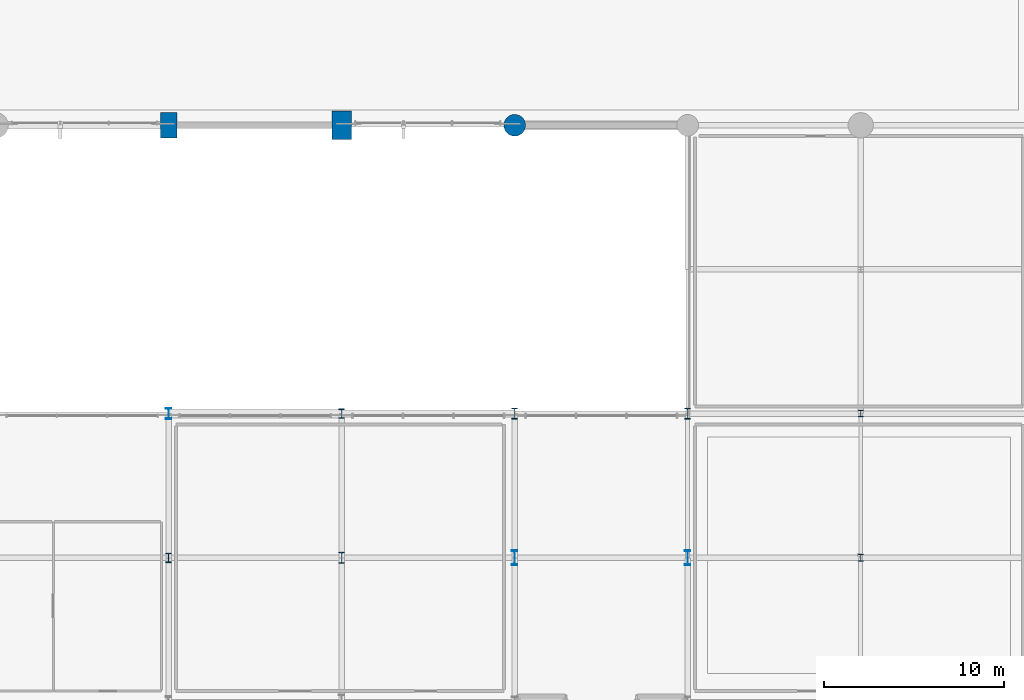
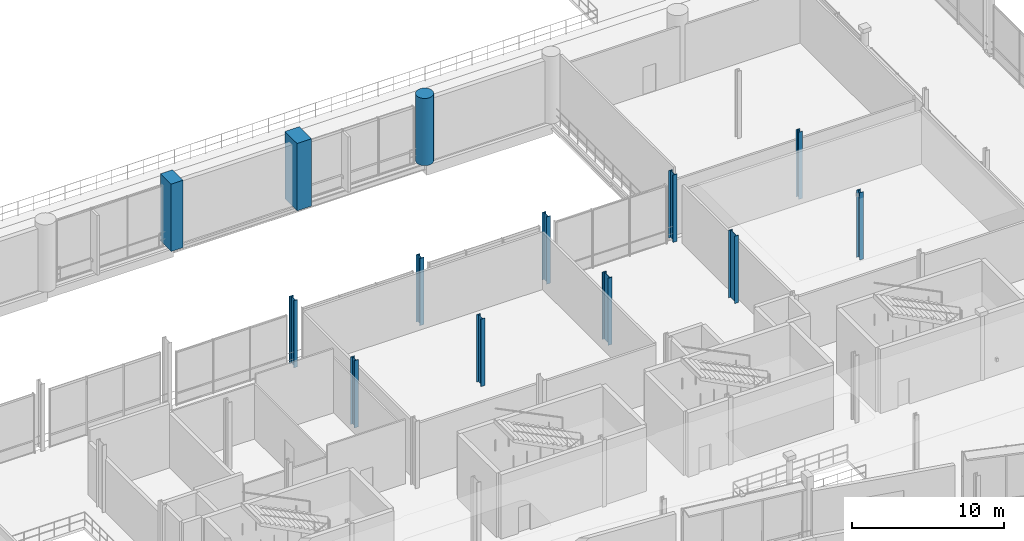
# One storey, part 7 of 129: 13 columns.
"""IFC4 building model written with IfcOpenShell, lengths in metres."""

from ifc_helpers import new_model, si_unit, direction, frame, origin, origin_2d, place, context, subcontext, project, spatial, rectangle, circle, i_section, extrude, material, material_profile, profile_set, type_object, element, save


model = new_model("IFC4")

# Units and contexts
model_context = context("Model", 3, precision=1e-05, world=origin(), true_north=direction((0.0, 1.0)))
body_context = subcontext(model_context, "Body", "Model", "MODEL_VIEW")
ifc_project = project(units=[si_unit("LENGTHUNIT", "METRE"), si_unit("AREAUNIT", "SQUARE_METRE"), si_unit("VOLUMEUNIT", "CUBIC_METRE"), si_unit("PLANEANGLEUNIT", "RADIAN"), si_unit("MASSUNIT", "GRAM", prefix="KILO")], contexts=[model_context])

# Site, building, storey
site_placement = place(None, origin())
site = spatial("IfcSite", under=ifc_project, at=site_placement, CompositionType="ELEMENT")
building_placement = place(site_placement, origin())
building = spatial("IfcBuilding", under=site, at=building_placement, Name="Danafjord Basin Convention Centre", CompositionType="ELEMENT")
storey_placement = place(building_placement, frame((0.0, 0.0, 6.0)))
storey = spatial("IfcBuildingStorey", under=building, at=storey_placement, Name="L01", CompositionType="ELEMENT", Elevation=6.0)

# Columns
ifc_material_1 = material(Name="Steel S355", Category="steel")
ifc_material_profile_1 = material_profile(ifc_material_1, i_section(OverallWidth=0.300048828125, OverallDepth=0.360107421875, WebThickness=0.012451171875, FlangeThickness=0.0224609375, FilletRadius=0.027099609375, at=origin_2d()), Name="HEB 360")
ifc_profile_set_1 = profile_set([ifc_material_profile_1], Name="Steel S355")
column_type_1 = type_object("IfcColumnType", Name="COL-C-HEB360", PredefinedType="COLUMN", material=ifc_profile_set_1)
column_1_placement = place(storey_placement, frame((105.60009765625, 40.0, 0.0), z_axis=(0.0, 0.0, 1.0), x_axis=(1.0, 0.0, 0.0)))
element("IfcColumn", 1, at=column_1_placement, inside=storey, type_object=column_type_1, Name="L01 column C-HEB360 at (105.6, 40.0)", PredefinedType="COLUMN", context=body_context, shape_type="SweptSolid", body=[
    extrude(i_section(OverallWidth=0.300048828125, OverallDepth=0.360107421875, WebThickness=0.012451171875, FlangeThickness=0.0224609375, FilletRadius=0.027099609375, at=origin_2d()), origin(), (0.0, 0.0, 1.0), 5.39990234375),
])
ifc_material_profile_2 = material_profile(ifc_material_1, i_section(OverallWidth=0.300048828125, OverallDepth=0.39990234375, WebThickness=0.013427734375, FlangeThickness=0.02392578125, FilletRadius=0.027099609375, at=origin_2d()), Name="HEB 400")
ifc_profile_set_2 = profile_set([ifc_material_profile_2], Name="Steel S355")
column_type_2 = type_object("IfcColumnType", Name="COL-C-HEB400", PredefinedType="COLUMN", material=ifc_profile_set_2)
column_2_placement = place(storey_placement, frame((105.60009765625, 32.0, 0.0), z_axis=(0.0, 0.0, 1.0), x_axis=(1.0, 0.0, 0.0)))
element("IfcColumn", 2, at=column_2_placement, inside=storey, type_object=column_type_2, Name="L01 column C-HEB400 at (105.6, 32.0)", PredefinedType="COLUMN", context=body_context, shape_type="SweptSolid", body=[
    extrude(i_section(OverallWidth=0.300048828125, OverallDepth=0.39990234375, WebThickness=0.013427734375, FlangeThickness=0.02392578125, FilletRadius=0.027099609375, at=origin_2d()), origin(), (0.0, 0.0, 1.0), 5.39990234375),
])
ifc_material_profile_3 = material_profile(ifc_material_1, i_section(OverallWidth=0.300048828125, OverallDepth=0.60009765625, WebThickness=0.015380859375, FlangeThickness=0.030029296875, FilletRadius=0.027099609375, at=origin_2d()), Name="HEB 600")
ifc_profile_set_3 = profile_set([ifc_material_profile_3], Name="Steel S355")
column_type_3 = type_object("IfcColumnType", Name="COL-C-HEB600", PredefinedType="COLUMN", material=ifc_profile_set_3)
column_3_placement = place(storey_placement, frame((67.199951171875, 40.0, 0.0), z_axis=(0.0, 0.0, 1.0), x_axis=(1.0, 0.0, 0.0)))
element("IfcColumn", 3, at=column_3_placement, inside=storey, type_object=column_type_3, Name="L01 column C-HEB600 at (67.2, 40.0)", PredefinedType="COLUMN", context=body_context, shape_type="SweptSolid", body=[
    extrude(i_section(OverallWidth=0.300048828125, OverallDepth=0.60009765625, WebThickness=0.015380859375, FlangeThickness=0.030029296875, FilletRadius=0.027099609375, at=origin_2d()), origin(), (0.0, 0.0, 1.0), 5.39990234375),
])
ifc_material_profile_4 = material_profile(ifc_material_1, i_section(OverallWidth=0.305908203125, OverallDepth=0.52392578125, WebThickness=0.02099609375, FlangeThickness=0.0400390625, FilletRadius=0.027099609375, at=origin_2d()), Name="HEM 500")
ifc_profile_set_4 = profile_set([ifc_material_profile_4], Name="Steel S355")
column_type_4 = type_object("IfcColumnType", Name="COL-C-HEM500", PredefinedType="COLUMN", material=ifc_profile_set_4)
for number, where, z_axis, x_axis, name in (
    (4, (67.199951171875, 32.0, 0.0), (0.0, 0.0, 1.0), (1.0, 0.0, 0.0), "L01 column C-HEM500 at (67.2, 32.0)"),
    (5, (76.800048828125, 40.0, 0.0), (0.0, 0.0, 1.0), (1.0, 0.0, 0.0), "L01 column C-HEM500 at (76.8, 40.0)"),
):
    element("IfcColumn", number, at=place(storey_placement, frame(where, z_axis=z_axis, x_axis=x_axis)), inside=storey, type_object=column_type_4, Name=name, PredefinedType="COLUMN", context=body_context, shape_type="SweptSolid", body=[
        extrude(i_section(OverallWidth=0.305908203125, OverallDepth=0.52392578125, WebThickness=0.02099609375, FlangeThickness=0.0400390625, FilletRadius=0.027099609375, at=origin_2d()), origin(), (0.0, 0.0, 1.0), 5.39990234375),
    ])
ifc_material_profile_5 = material_profile(ifc_material_1, i_section(OverallWidth=0.304931640625, OverallDepth=0.6201171875, WebThickness=0.02099609375, FlangeThickness=0.0400390625, FilletRadius=0.027099609375, at=origin_2d()), Name="HEM 600")
ifc_profile_set_5 = profile_set([ifc_material_profile_5], Name="Steel S355")
column_type_5 = type_object("IfcColumnType", Name="COL-C-HEM600", PredefinedType="COLUMN", material=ifc_profile_set_5)
for number, where, z_axis, x_axis, name in (
    (6, (76.800048828125, 32.0, 0.0), (0.0, 0.0, 1.0), (1.0, 0.0, 0.0), "L01 column C-HEM600 at (76.8, 32.0)"),
    (7, (86.39990234375, 40.0, 0.0), (0.0, 0.0, 1.0), (1.0, 0.0, 0.0), "L01 column C-HEM600 at (86.4, 40.0)"),
    (8, (96.0, 40.0, 0.0), (0.0, 0.0, 1.0), (1.0, 0.0, 0.0), "L01 column C-HEM600 at (96.0, 40.0)"),
):
    element("IfcColumn", number, at=place(storey_placement, frame(where, z_axis=z_axis, x_axis=x_axis)), inside=storey, type_object=column_type_5, Name=name, PredefinedType="COLUMN", context=body_context, shape_type="SweptSolid", body=[
        extrude(i_section(OverallWidth=0.304931640625, OverallDepth=0.6201171875, WebThickness=0.02099609375, FlangeThickness=0.0400390625, FilletRadius=0.027099609375, at=origin_2d()), origin(), (0.0, 0.0, 1.0), 5.39990234375),
    ])
ifc_material_profile_6 = material_profile(ifc_material_1, i_section(OverallWidth=0.302978515625, OverallDepth=0.81396484375, WebThickness=0.02099609375, FlangeThickness=0.0400390625, FilletRadius=0.030029296875, at=origin_2d()), Name="HEM 800")
ifc_profile_set_6 = profile_set([ifc_material_profile_6], Name="Steel S355")
column_type_6 = type_object("IfcColumnType", Name="COL-C-HEM800", PredefinedType="COLUMN", material=ifc_profile_set_6)
for number, where, z_axis, x_axis, name in (
    (9, (86.39990234375, 32.0, 0.0), (0.0, 0.0, 1.0), (1.0, 0.0, 0.0), "L01 column C-HEM800 at (86.4, 32.0)"),
    (10, (96.0, 32.0, 0.0), (0.0, 0.0, 1.0), (1.0, 0.0, 0.0), "L01 column C-HEM800 at (96.0, 32.0)"),
):
    element("IfcColumn", number, at=place(storey_placement, frame(where, z_axis=z_axis, x_axis=x_axis)), inside=storey, type_object=column_type_6, Name=name, PredefinedType="COLUMN", context=body_context, shape_type="SweptSolid", body=[
        extrude(i_section(OverallWidth=0.302978515625, OverallDepth=0.81396484375, WebThickness=0.02099609375, FlangeThickness=0.0400390625, FilletRadius=0.030029296875, at=origin_2d()), origin(), (0.0, 0.0, 1.0), 5.39990234375),
    ])
ifc_material_2 = material(Name="Concrete C50/60", Category="concrete")
ifc_material_profile_7 = material_profile(ifc_material_2, rectangle(XDim=0.89990234375, YDim=1.39990234375, at=origin_2d()), Name="RC 1400x900")
ifc_profile_set_7 = profile_set([ifc_material_profile_7], Name="Concrete C50/60")
column_type_7 = type_object("IfcColumnType", Name="COL-C-RC1400", PredefinedType="COLUMN", material=ifc_profile_set_7)
column_4_placement = place(storey_placement, frame((67.199951171875, 56.0, 0.0), z_axis=(0.0, 0.0, 1.0), x_axis=(1.0, 0.0, 0.0)))
element("IfcColumn", 11, at=column_4_placement, inside=storey, type_object=column_type_7, Name="L01 column C-RC1400 at (67.2, 56.0)", PredefinedType="COLUMN", context=body_context, shape_type="SweptSolid", body=[
    extrude(rectangle(XDim=0.89990234375, YDim=1.39990234375, at=origin_2d()), origin(), (0.0, 0.0, 1.0), 5.39990234375),
])
ifc_material_profile_8 = material_profile(ifc_material_2, rectangle(XDim=1.10009765625, YDim=1.60009765625, at=origin_2d()), Name="RC 1600x1100")
ifc_profile_set_8 = profile_set([ifc_material_profile_8], Name="Concrete C50/60")
column_type_8 = type_object("IfcColumnType", Name="COL-C-RC1600", PredefinedType="COLUMN", material=ifc_profile_set_8)
column_5_placement = place(storey_placement, frame((76.800048828125, 56.0, 0.0), z_axis=(0.0, 0.0, 1.0), x_axis=(1.0, 0.0, 0.0)))
element("IfcColumn", 12, at=column_5_placement, inside=storey, type_object=column_type_8, Name="L01 column C-RC1600 at (76.8, 56.0)", PredefinedType="COLUMN", context=body_context, shape_type="SweptSolid", body=[
    extrude(rectangle(XDim=1.10009765625, YDim=1.60009765625, at=origin_2d()), origin(), (0.0, 0.0, 1.0), 5.39990234375),
])
ifc_material_profile_9 = material_profile(ifc_material_2, circle(Radius=0.60009765625, at=origin_2d()), Name="RC D1200")
ifc_profile_set_9 = profile_set([ifc_material_profile_9], Name="Concrete C50/60")
column_type_9 = type_object("IfcColumnType", Name="COL-C-RCD1200", PredefinedType="COLUMN", material=ifc_profile_set_9)
column_6_placement = place(storey_placement, frame((86.39990234375, 56.0, 0.0), z_axis=(0.0, 0.0, 1.0), x_axis=(1.0, 0.0, 0.0)))
element("IfcColumn", 13, at=column_6_placement, inside=storey, type_object=column_type_9, Name="L01 column C-RCD1200 at (86.4, 56.0)", PredefinedType="COLUMN", context=body_context, shape_type="SweptSolid", body=[
    extrude(circle(Radius=0.60009765625, at=origin_2d()), origin(), (0.0, 0.0, 1.0), 5.39990234375),
])

save(model, "model.ifc")
